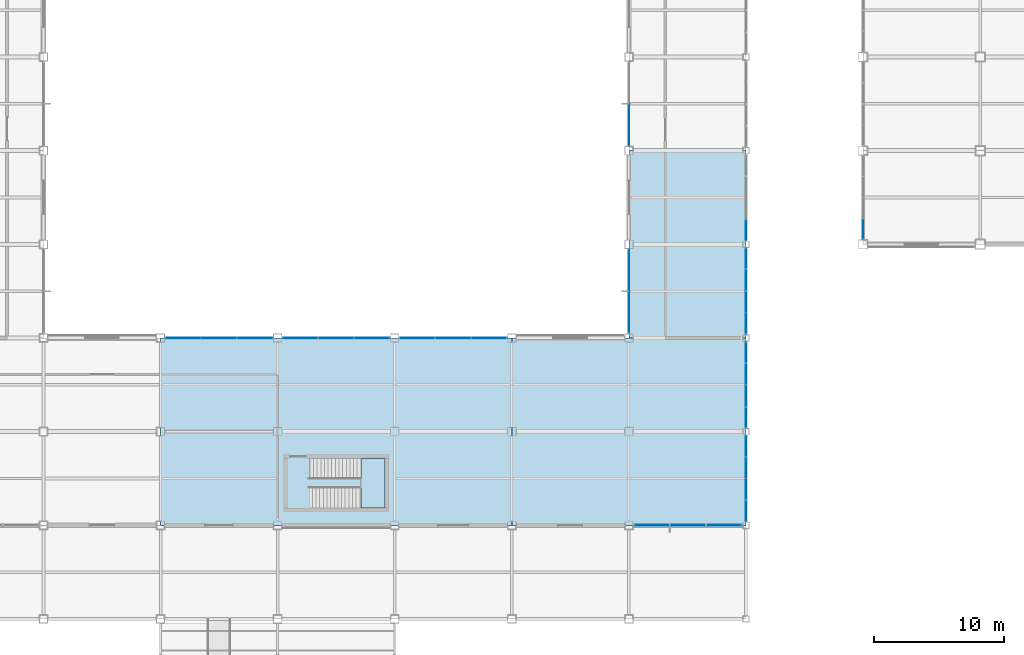
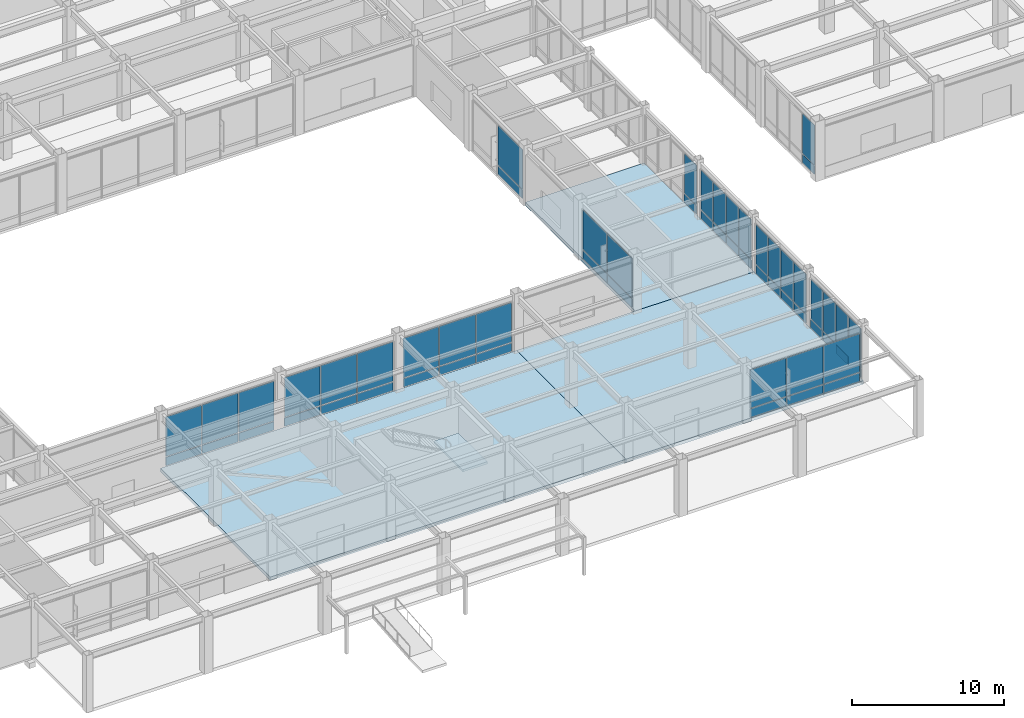
# One storey, part 81 of 112: 58 plates, 4 slabs, 12 elements without a shape of their own.
"""IFC4 building model written with IfcOpenShell, lengths in metres."""

from ifc_helpers import new_model, si_unit, direction, frame, origin, origin_2d, place, context, subcontext, project, spatial, polyline, rectangle, outline, extrude, material, layer, layer_set, type_object, element, aggregate, save


model = new_model("IFC4")

# Units and contexts
model_context = context("Model", 3, precision=1e-05, world=origin(), true_north=direction((0.0, 1.0)))
body_context = subcontext(model_context, "Body", "Model", "MODEL_VIEW")
ifc_project = project(units=[si_unit("LENGTHUNIT", "METRE"), si_unit("AREAUNIT", "SQUARE_METRE"), si_unit("VOLUMEUNIT", "CUBIC_METRE"), si_unit("PLANEANGLEUNIT", "RADIAN"), si_unit("MASSUNIT", "GRAM", prefix="KILO")], contexts=[model_context])

# Site, building, storey
site_placement = place(None, origin())
site = spatial("IfcSite", under=ifc_project, at=site_placement, CompositionType="ELEMENT")
building_placement = place(site_placement, origin())
building = spatial("IfcBuilding", under=site, at=building_placement, Name="Kazanami Central Library", CompositionType="ELEMENT")
storey_placement = place(building_placement, origin())
storey = spatial("IfcBuildingStorey", under=building, at=storey_placement, Name="L01", CompositionType="ELEMENT", Elevation=0.0)

# Curtain wall, plates
ifc_material_1 = material(Name="Acid-Etched Low-E Laminated Glass", Category="glass")
curtain_wall_type_1 = type_object("IfcCurtainWallType", Name="CW-8350x4055-M275", PredefinedType="USERDEFINED", material=ifc_material_1)
curtain_wall_1_placement = place(storey_placement, origin())
curtain_wall_1 = element("IfcCurtainWall", 1, at=curtain_wall_1_placement, inside=storey, type_object=curtain_wall_type_1, Name="Unitised Curtain Wall CW-03 L01 N-F-08", ObjectType="UNITISED CURTAIN WALL", PredefinedType="USERDEFINED")
ifc_layer_1 = layer(ifc_material_1, 0.035888671875, Name="Acid-Etched Low-E Laminated Glass")
ifc_layer_set_1 = layer_set([ifc_layer_1], Name="Acid-Etched Low-E Laminated Glass")
plate_type_1 = type_object("IfcPlateType", Name="PLT-CW-P1", PredefinedType="CURTAIN_PANEL", material=ifc_layer_set_1)
plate_1_placement = place(storey_placement, frame((79.265869140625, 36.0, 0.81494140625), z_axis=(0.0, 0.0, 1.0), x_axis=(-1.0, 0.0, 0.0)))
plate_1 = element("IfcPlate", 2, at=plate_1_placement, type_object=plate_type_1, Name="CW-03 panel 1.2", PredefinedType="CURTAIN_PANEL", context=body_context, shape_type="SweptSolid", body=[
    extrude(rectangle(XDim=2.67822265625, YDim=0.035888671875, at=origin_2d()), origin(), (0.0, 0.0, 1.0), 3.169921875),
])
plate_2_placement = place(storey_placement, frame((76.5, 36.0, 0.81494140625), z_axis=(0.0, 0.0, 1.0), x_axis=(-1.0, 0.0, 0.0)))
plate_2 = element("IfcPlate", 3, at=plate_2_placement, type_object=plate_type_1, Name="CW-03 panel 2.2", PredefinedType="CURTAIN_PANEL", context=body_context, shape_type="SweptSolid", body=[
    extrude(rectangle(XDim=2.71337890625, YDim=0.035888671875, at=origin_2d()), origin(), (0.0, 0.0, 1.0), 3.169921875),
])
plate_3_placement = place(storey_placement, frame((73.734130859375, 36.0, 0.81494140625), z_axis=(0.0, 0.0, 1.0), x_axis=(-1.0, 0.0, 0.0)))
plate_3 = element("IfcPlate", 4, at=plate_3_placement, type_object=plate_type_1, Name="CW-03 panel 3.2", PredefinedType="CURTAIN_PANEL", context=body_context, shape_type="SweptSolid", body=[
    extrude(rectangle(XDim=2.67822265625, YDim=0.035888671875, at=origin_2d()), origin(), (0.0, 0.0, 1.0), 3.169921875),
])

curtain_wall_type_2 = type_object("IfcCurtainWallType", Name="CW-8425x3955-M275", PredefinedType="USERDEFINED", material=ifc_material_1)
curtain_wall_2_placement = place(storey_placement, origin())
curtain_wall_2 = element("IfcCurtainWall", 5, at=curtain_wall_2_placement, inside=storey, type_object=curtain_wall_type_2, Name="Unitised Curtain Wall CW-01 L01 S-D-11", ObjectType="UNITISED CURTAIN WALL", PredefinedType="USERDEFINED")
ifc_layer_2 = layer(ifc_material_1, 0.0439453125, Name="Acid-Etched Low-E Laminated Glass")
ifc_layer_set_2 = layer_set([ifc_layer_2], Name="Acid-Etched Low-E Laminated Glass")
plate_type_2 = type_object("IfcPlateType", Name="PLT-CW-P2", PredefinedType="CURTAIN_PANEL", material=ifc_layer_set_2)
plate_4_placement = place(storey_placement, frame((100.74658203125, 21.60009765625, 0.81494140625), z_axis=(0.0, 0.0, 1.0), x_axis=(1.0, 0.0, 0.0)))
plate_4 = element("IfcPlate", 6, at=plate_4_placement, type_object=plate_type_2, Name="CW-01 panel 1.2", PredefinedType="CURTAIN_PANEL", context=body_context, shape_type="SweptSolid", body=[
    extrude(rectangle(XDim=2.703369140625, YDim=0.0439453125, at=origin_2d()), origin(), (0.0, 0.0, 1.0), 3.070068359375),
])
plate_5_placement = place(storey_placement, frame((103.53759765625, 21.60009765625, 0.81494140625), z_axis=(0.0, 0.0, 1.0), x_axis=(1.0, 0.0, 0.0)))
plate_5 = element("IfcPlate", 7, at=plate_5_placement, type_object=plate_type_2, Name="CW-01 panel 2.2", PredefinedType="CURTAIN_PANEL", context=body_context, shape_type="SweptSolid", body=[
    extrude(rectangle(XDim=2.73828125, YDim=0.0439453125, at=origin_2d()), origin(), (0.0, 0.0, 1.0), 3.070068359375),
])
plate_6_placement = place(storey_placement, frame((106.328369140625, 21.60009765625, 0.81494140625), z_axis=(0.0, 0.0, 1.0), x_axis=(1.0, 0.0, 0.0)))
plate_6 = element("IfcPlate", 8, at=plate_6_placement, type_object=plate_type_2, Name="CW-01 panel 3.2", PredefinedType="CURTAIN_PANEL", context=body_context, shape_type="SweptSolid", body=[
    extrude(rectangle(XDim=2.703369140625, YDim=0.0439453125, at=origin_2d()), origin(), (0.0, 0.0, 1.0), 3.070068359375),
])

curtain_wall_3_placement = place(storey_placement, origin())
curtain_wall_3 = element("IfcCurtainWall", 9, at=curtain_wall_3_placement, inside=storey, type_object=curtain_wall_type_1, Name="Unitised Curtain Wall CW-03 L01 N-F-07", ObjectType="UNITISED CURTAIN WALL", PredefinedType="USERDEFINED")
plate_7_placement = place(storey_placement, frame((70.265869140625, 36.0, 0.81494140625), z_axis=(0.0, 0.0, 1.0), x_axis=(-1.0, 0.0, 0.0)))
plate_7 = element("IfcPlate", 10, at=plate_7_placement, type_object=plate_type_2, Name="CW-03 panel 1.2", PredefinedType="CURTAIN_PANEL", context=body_context, shape_type="SweptSolid", body=[
    extrude(rectangle(XDim=2.67822265625, YDim=0.0439453125, at=origin_2d()), origin(), (0.0, 0.0, 1.0), 3.169921875),
])
plate_8_placement = place(storey_placement, frame((67.5, 36.0, 0.81494140625), z_axis=(0.0, 0.0, 1.0), x_axis=(-1.0, 0.0, 0.0)))
plate_8 = element("IfcPlate", 11, at=plate_8_placement, type_object=plate_type_2, Name="CW-03 panel 2.2", PredefinedType="CURTAIN_PANEL", context=body_context, shape_type="SweptSolid", body=[
    extrude(rectangle(XDim=2.71337890625, YDim=0.0439453125, at=origin_2d()), origin(), (0.0, 0.0, 1.0), 3.169921875),
])
plate_9_placement = place(storey_placement, frame((64.734130859375, 36.0, 0.81494140625), z_axis=(0.0, 0.0, 1.0), x_axis=(-1.0, 0.0, 0.0)))
plate_9 = element("IfcPlate", 12, at=plate_9_placement, type_object=plate_type_2, Name="CW-03 panel 3.2", PredefinedType="CURTAIN_PANEL", context=body_context, shape_type="SweptSolid", body=[
    extrude(rectangle(XDim=2.67822265625, YDim=0.0439453125, at=origin_2d()), origin(), (0.0, 0.0, 1.0), 3.169921875),
])

curtain_wall_4_placement = place(storey_placement, origin())
curtain_wall_4 = element("IfcCurtainWall", 13, at=curtain_wall_4_placement, inside=storey, type_object=curtain_wall_type_1, Name="Unitised Curtain Wall CW-03 L01 N-F-09", ObjectType="UNITISED CURTAIN WALL", PredefinedType="USERDEFINED")
plate_10_placement = place(storey_placement, frame((88.265869140625, 36.0, 0.81494140625), z_axis=(0.0, 0.0, 1.0), x_axis=(-1.0, 0.0, 0.0)))
plate_10 = element("IfcPlate", 14, at=plate_10_placement, type_object=plate_type_2, Name="CW-03 panel 1.2", PredefinedType="CURTAIN_PANEL", context=body_context, shape_type="SweptSolid", body=[
    extrude(rectangle(XDim=2.67822265625, YDim=0.0439453125, at=origin_2d()), origin(), (0.0, 0.0, 1.0), 3.169921875),
])
plate_11_placement = place(storey_placement, frame((85.5, 36.0, 0.81494140625), z_axis=(0.0, 0.0, 1.0), x_axis=(-1.0, 0.0, 0.0)))
plate_11 = element("IfcPlate", 15, at=plate_11_placement, type_object=plate_type_2, Name="CW-03 panel 2.2", PredefinedType="CURTAIN_PANEL", context=body_context, shape_type="SweptSolid", body=[
    extrude(rectangle(XDim=2.71337890625, YDim=0.0439453125, at=origin_2d()), origin(), (0.0, 0.0, 1.0), 3.169921875),
])
plate_12_placement = place(storey_placement, frame((82.734130859375, 36.0, 0.81494140625), z_axis=(0.0, 0.0, 1.0), x_axis=(-1.0, 0.0, 0.0)))
plate_12 = element("IfcPlate", 16, at=plate_12_placement, type_object=plate_type_2, Name="CW-03 panel 3.2", PredefinedType="CURTAIN_PANEL", context=body_context, shape_type="SweptSolid", body=[
    extrude(rectangle(XDim=2.67822265625, YDim=0.0439453125, at=origin_2d()), origin(), (0.0, 0.0, 1.0), 3.169921875),
])

curtain_wall_type_3 = type_object("IfcCurtainWallType", Name="CW-6550x4055-M275", PredefinedType="USERDEFINED", material=ifc_material_1)
curtain_wall_5_placement = place(storey_placement, origin())
curtain_wall_5 = element("IfcCurtainWall", 17, at=curtain_wall_5_placement, inside=storey, type_object=curtain_wall_type_3, Name="Unitised Curtain Wall CW-10 L01 W-12-05", ObjectType="UNITISED CURTAIN WALL", PredefinedType="USERDEFINED")
plate_13_placement = place(storey_placement, frame((99.0, 37.97998046875, 0.81494140625), z_axis=(0.0, 0.0, 1.0), x_axis=(0.0, 1.0, 0.0)))
plate_13 = element("IfcPlate", 18, at=plate_13_placement, type_object=plate_type_2, Name="CW-10 panel 1.2", PredefinedType="CURTAIN_PANEL", context=body_context, shape_type="SweptSolid", body=[
    extrude(rectangle(XDim=3.169921875, YDim=0.0439453125, at=origin_2d()), origin(), (0.0, 0.0, 1.0), 3.169921875),
])
plate_14_placement = place(storey_placement, frame((99.0, 41.219970703125, 0.81494140625), z_axis=(0.0, 0.0, 1.0), x_axis=(0.0, 1.0, 0.0)))
plate_14 = element("IfcPlate", 19, at=plate_14_placement, type_object=plate_type_2, Name="CW-10 panel 2.2", PredefinedType="CURTAIN_PANEL", context=body_context, shape_type="SweptSolid", body=[
    extrude(rectangle(XDim=3.169921875, YDim=0.0439453125, at=origin_2d()), origin(), (0.0, 0.0, 1.0), 3.169921875),
])

# Curtain wall, plate
curtain_wall_6_placement = place(storey_placement, origin())
curtain_wall_6 = element("IfcCurtainWall", 20, at=curtain_wall_6_placement, inside=storey, type_object=curtain_wall_type_3, Name="Unitised Curtain Wall CW-10 L01 W-12-07", ObjectType="UNITISED CURTAIN WALL", PredefinedType="USERDEFINED")
plate_15_placement = place(storey_placement, frame((99.0, 52.3798828125, 0.81494140625), z_axis=(0.0, 0.0, 1.0), x_axis=(0.0, 1.0, 0.0)))
plate_15 = element("IfcPlate", 21, at=plate_15_placement, type_object=plate_type_2, Name="CW-10 panel 1.2", PredefinedType="CURTAIN_PANEL", context=body_context, shape_type="SweptSolid", body=[
    extrude(rectangle(XDim=3.169921875, YDim=0.0439453125, at=origin_2d()), origin(), (0.0, 0.0, 1.0), 3.169921875),
])

# Curtain wall, plates
curtain_wall_type_4 = type_object("IfcCurtainWallType", Name="CW-6700x4055-M180", PredefinedType="USERDEFINED", material=ifc_material_1)
curtain_wall_7_placement = place(storey_placement, origin())
curtain_wall_7 = element("IfcCurtainWall", 22, at=curtain_wall_7_placement, inside=storey, type_object=curtain_wall_type_4, Name="Covered Link Bridge Curtain Wall CW-09 L01 E-13-03", ObjectType="UNITISED CURTAIN WALL", PredefinedType="USERDEFINED")
ifc_material_2 = material(Name="Low-E Insulated Triple Glass", Category="glass")
ifc_layer_3 = layer(ifc_material_2, 0.0400390625, Name="Low-E Insulated Triple Glass")
ifc_layer_set_3 = layer_set([ifc_layer_3], Name="Low-E Insulated Triple Glass")
plate_type_3 = type_object("IfcPlateType", Name="PLT-CW-P3", PredefinedType="CURTAIN_PANEL", material=ifc_layer_set_3)
plate_16_placement = place(storey_placement, frame((108.0, 27.695068359375, 0.81494140625), z_axis=(0.0, 0.0, 1.0), x_axis=(0.0, -1.0, 0.0)))
plate_16 = element("IfcPlate", 23, at=plate_16_placement, type_object=plate_type_3, Name="CW-09 panel 1.2", PredefinedType="CURTAIN_PANEL", context=body_context, shape_type="SweptSolid", body=[
    extrude(rectangle(XDim=1.570068359375, YDim=0.0400390625, at=origin_2d()), origin(), (0.0, 0.0, 1.0), 3.169921875),
])
plate_17_placement = place(storey_placement, frame((108.0, 26.03759765625, 0.81494140625), z_axis=(0.0, 0.0, 1.0), x_axis=(0.0, -1.0, 0.0)))
plate_17 = element("IfcPlate", 24, at=plate_17_placement, type_object=plate_type_3, Name="CW-09 panel 2.2", PredefinedType="CURTAIN_PANEL", context=body_context, shape_type="SweptSolid", body=[
    extrude(rectangle(XDim=1.60498046875, YDim=0.0400390625, at=origin_2d()), origin(), (0.0, 0.0, 1.0), 3.169921875),
])
plate_18_placement = place(storey_placement, frame((108.0, 24.362548828125, 0.81494140625), z_axis=(0.0, 0.0, 1.0), x_axis=(0.0, -1.0, 0.0)))
plate_18 = element("IfcPlate", 25, at=plate_18_placement, type_object=plate_type_3, Name="CW-09 panel 3.2", PredefinedType="CURTAIN_PANEL", context=body_context, shape_type="SweptSolid", body=[
    extrude(rectangle(XDim=1.60498046875, YDim=0.0400390625, at=origin_2d()), origin(), (0.0, 0.0, 1.0), 3.169921875),
])
plate_19_placement = place(storey_placement, frame((108.0, 22.705078125, 0.81494140625), z_axis=(0.0, 0.0, 1.0), x_axis=(0.0, -1.0, 0.0)))
plate_19 = element("IfcPlate", 26, at=plate_19_placement, type_object=plate_type_3, Name="CW-09 panel 4.2", PredefinedType="CURTAIN_PANEL", context=body_context, shape_type="SweptSolid", body=[
    extrude(rectangle(XDim=1.570068359375, YDim=0.0400390625, at=origin_2d()), origin(), (0.0, 0.0, 1.0), 3.169921875),
])

curtain_wall_8_placement = place(storey_placement, origin())
curtain_wall_8 = element("IfcCurtainWall", 27, at=curtain_wall_8_placement, inside=storey, type_object=curtain_wall_type_4, Name="Covered Link Bridge Curtain Wall CW-09 L01 E-13-04", ObjectType="UNITISED CURTAIN WALL", PredefinedType="USERDEFINED")
plate_20_placement = place(storey_placement, frame((108.0, 34.89501953125, 0.81494140625), z_axis=(0.0, 0.0, 1.0), x_axis=(0.0, -1.0, 0.0)))
plate_20 = element("IfcPlate", 28, at=plate_20_placement, type_object=plate_type_3, Name="CW-09 panel 1.2", PredefinedType="CURTAIN_PANEL", context=body_context, shape_type="SweptSolid", body=[
    extrude(rectangle(XDim=1.570068359375, YDim=0.0400390625, at=origin_2d()), origin(), (0.0, 0.0, 1.0), 3.169921875),
])
plate_21_placement = place(storey_placement, frame((108.0, 33.237548828125, 0.81494140625), z_axis=(0.0, 0.0, 1.0), x_axis=(0.0, -1.0, 0.0)))
plate_21 = element("IfcPlate", 29, at=plate_21_placement, type_object=plate_type_3, Name="CW-09 panel 2.2", PredefinedType="CURTAIN_PANEL", context=body_context, shape_type="SweptSolid", body=[
    extrude(rectangle(XDim=1.60498046875, YDim=0.0400390625, at=origin_2d()), origin(), (0.0, 0.0, 1.0), 3.169921875),
])
plate_22_placement = place(storey_placement, frame((108.0, 31.5625, 0.81494140625), z_axis=(0.0, 0.0, 1.0), x_axis=(0.0, -1.0, 0.0)))
plate_22 = element("IfcPlate", 30, at=plate_22_placement, type_object=plate_type_3, Name="CW-09 panel 3.2", PredefinedType="CURTAIN_PANEL", context=body_context, shape_type="SweptSolid", body=[
    extrude(rectangle(XDim=1.60498046875, YDim=0.0400390625, at=origin_2d()), origin(), (0.0, 0.0, 1.0), 3.169921875),
])
plate_23_placement = place(storey_placement, frame((108.0, 29.905029296875, 0.81494140625), z_axis=(0.0, 0.0, 1.0), x_axis=(0.0, -1.0, 0.0)))
plate_23 = element("IfcPlate", 31, at=plate_23_placement, type_object=plate_type_3, Name="CW-09 panel 4.2", PredefinedType="CURTAIN_PANEL", context=body_context, shape_type="SweptSolid", body=[
    extrude(rectangle(XDim=1.570068359375, YDim=0.0400390625, at=origin_2d()), origin(), (0.0, 0.0, 1.0), 3.169921875),
])

curtain_wall_9_placement = place(storey_placement, origin())
curtain_wall_9 = element("IfcCurtainWall", 32, at=curtain_wall_9_placement, inside=storey, type_object=curtain_wall_type_4, Name="Covered Link Bridge Curtain Wall CW-09 L01 E-13-05", ObjectType="UNITISED CURTAIN WALL", PredefinedType="USERDEFINED")
plate_24_placement = place(storey_placement, frame((108.0, 42.094970703125, 0.81494140625), z_axis=(0.0, 0.0, 1.0), x_axis=(0.0, -1.0, 0.0)))
plate_24 = element("IfcPlate", 33, at=plate_24_placement, type_object=plate_type_3, Name="CW-09 panel 1.2", PredefinedType="CURTAIN_PANEL", context=body_context, shape_type="SweptSolid", body=[
    extrude(rectangle(XDim=1.570068359375, YDim=0.0400390625, at=origin_2d()), origin(), (0.0, 0.0, 1.0), 3.169921875),
])
plate_25_placement = place(storey_placement, frame((108.0, 40.4375, 0.81494140625), z_axis=(0.0, 0.0, 1.0), x_axis=(0.0, -1.0, 0.0)))
plate_25 = element("IfcPlate", 34, at=plate_25_placement, type_object=plate_type_3, Name="CW-09 panel 2.2", PredefinedType="CURTAIN_PANEL", context=body_context, shape_type="SweptSolid", body=[
    extrude(rectangle(XDim=1.60498046875, YDim=0.0400390625, at=origin_2d()), origin(), (0.0, 0.0, 1.0), 3.169921875),
])
plate_26_placement = place(storey_placement, frame((108.0, 38.762451171875, 0.81494140625), z_axis=(0.0, 0.0, 1.0), x_axis=(0.0, -1.0, 0.0)))
plate_26 = element("IfcPlate", 35, at=plate_26_placement, type_object=plate_type_3, Name="CW-09 panel 3.2", PredefinedType="CURTAIN_PANEL", context=body_context, shape_type="SweptSolid", body=[
    extrude(rectangle(XDim=1.60498046875, YDim=0.0400390625, at=origin_2d()), origin(), (0.0, 0.0, 1.0), 3.169921875),
])
plate_27_placement = place(storey_placement, frame((108.0, 37.10498046875, 0.81494140625), z_axis=(0.0, 0.0, 1.0), x_axis=(0.0, -1.0, 0.0)))
plate_27 = element("IfcPlate", 36, at=plate_27_placement, type_object=plate_type_3, Name="CW-09 panel 4.2", PredefinedType="CURTAIN_PANEL", context=body_context, shape_type="SweptSolid", body=[
    extrude(rectangle(XDim=1.570068359375, YDim=0.0400390625, at=origin_2d()), origin(), (0.0, 0.0, 1.0), 3.169921875),
])

# Curtain wall, plate
curtain_wall_10_placement = place(storey_placement, origin())
curtain_wall_10 = element("IfcCurtainWall", 37, at=curtain_wall_10_placement, inside=storey, type_object=curtain_wall_type_4, Name="Covered Link Bridge Curtain Wall CW-09 L01 E-13-06", ObjectType="UNITISED CURTAIN WALL", PredefinedType="USERDEFINED")
plate_28_placement = place(storey_placement, frame((108.0, 44.304931640625, 0.81494140625), z_axis=(0.0, 0.0, 1.0), x_axis=(0.0, -1.0, 0.0)))
plate_28 = element("IfcPlate", 38, at=plate_28_placement, type_object=plate_type_3, Name="CW-09 panel 4.2", PredefinedType="CURTAIN_PANEL", context=body_context, shape_type="SweptSolid", body=[
    extrude(rectangle(XDim=1.570068359375, YDim=0.0400390625, at=origin_2d()), origin(), (0.0, 0.0, 1.0), 3.169921875),
])

curtain_wall_type_5 = type_object("IfcCurtainWallType", Name="CW-6500x4055-M180", PredefinedType="USERDEFINED", material=ifc_material_1)
curtain_wall_11_placement = place(storey_placement, origin())
curtain_wall_11 = element("IfcCurtainWall", 39, at=curtain_wall_11_placement, inside=storey, type_object=curtain_wall_type_5, Name="Covered Link Bridge Curtain Wall CW-11 L01 W-14-06", ObjectType="UNITISED CURTAIN WALL", PredefinedType="USERDEFINED")
plate_29_placement = place(storey_placement, frame((117.0, 44.37744140625, 0.81005859375), z_axis=(0.0, 0.0, 1.0), x_axis=(0.0, 1.0, 0.0)))
plate_29 = element("IfcPlate", 40, at=plate_29_placement, type_object=plate_type_3, Name="CW-11 panel 1.2", PredefinedType="CURTAIN_PANEL", context=body_context, shape_type="SweptSolid", body=[
    extrude(rectangle(XDim=1.534912109375, YDim=0.0400390625, at=origin_2d()), origin(), (0.0, 0.0, 1.0), 3.18505859375),
])

# Plate
ifc_material_3 = material(Name="Anodised Aluminium A5052-H32", Category="aluminium")
ifc_layer_4 = layer(ifc_material_3, 0.06005859375, Name="Anodised Aluminium A5052-H32")
ifc_layer_set_4 = layer_set([ifc_layer_4], Name="Anodised Aluminium A5052-H32")
plate_type_4 = type_object("IfcPlateType", Name="PLT-CW-SP1", PredefinedType="CURTAIN_PANEL", material=ifc_layer_set_4)
plate_30_placement = place(storey_placement, frame((100.74658203125, 21.60009765625, 0.06982421875), z_axis=(0.0, 0.0, 1.0), x_axis=(1.0, 0.0, 0.0)))
plate_30 = element("IfcPlate", 41, at=plate_30_placement, type_object=plate_type_4, Name="CW-01 panel 1.1", PredefinedType="CURTAIN_PANEL", context=body_context, shape_type="SweptSolid", body=[
    extrude(rectangle(XDim=2.703369140625, YDim=0.06005859375, at=origin_2d()), origin(), (0.0, 0.0, 1.0), 0.675048828125),
])

plate_31_placement = place(storey_placement, frame((103.53759765625, 21.60009765625, 0.06982421875), z_axis=(0.0, 0.0, 1.0), x_axis=(1.0, 0.0, 0.0)))
plate_31 = element("IfcPlate", 42, at=plate_31_placement, type_object=plate_type_4, Name="CW-01 panel 2.1", PredefinedType="CURTAIN_PANEL", context=body_context, shape_type="SweptSolid", body=[
    extrude(rectangle(XDim=2.73828125, YDim=0.06005859375, at=origin_2d()), origin(), (0.0, 0.0, 1.0), 0.675048828125),
])

plate_32_placement = place(storey_placement, frame((106.328369140625, 21.60009765625, 0.06982421875), z_axis=(0.0, 0.0, 1.0), x_axis=(1.0, 0.0, 0.0)))
plate_32 = element("IfcPlate", 43, at=plate_32_placement, type_object=plate_type_4, Name="CW-01 panel 3.1", PredefinedType="CURTAIN_PANEL", context=body_context, shape_type="SweptSolid", body=[
    extrude(rectangle(XDim=2.703369140625, YDim=0.06005859375, at=origin_2d()), origin(), (0.0, 0.0, 1.0), 0.675048828125),
])

aggregate(curtain_wall_2, [plate_30, plate_4, plate_31, plate_5, plate_32, plate_6])

plate_33_placement = place(storey_placement, frame((70.265869140625, 36.0, 0.06982421875), z_axis=(0.0, 0.0, 1.0), x_axis=(-1.0, 0.0, 0.0)))
plate_33 = element("IfcPlate", 44, at=plate_33_placement, type_object=plate_type_4, Name="CW-03 panel 1.1", PredefinedType="CURTAIN_PANEL", context=body_context, shape_type="SweptSolid", body=[
    extrude(rectangle(XDim=2.67822265625, YDim=0.06005859375, at=origin_2d()), origin(), (0.0, 0.0, 1.0), 0.675048828125),
])

plate_34_placement = place(storey_placement, frame((67.5, 36.0, 0.06982421875), z_axis=(0.0, 0.0, 1.0), x_axis=(-1.0, 0.0, 0.0)))
plate_34 = element("IfcPlate", 45, at=plate_34_placement, type_object=plate_type_4, Name="CW-03 panel 2.1", PredefinedType="CURTAIN_PANEL", context=body_context, shape_type="SweptSolid", body=[
    extrude(rectangle(XDim=2.71337890625, YDim=0.06005859375, at=origin_2d()), origin(), (0.0, 0.0, 1.0), 0.675048828125),
])

plate_35_placement = place(storey_placement, frame((64.734130859375, 36.0, 0.06982421875), z_axis=(0.0, 0.0, 1.0), x_axis=(-1.0, 0.0, 0.0)))
plate_35 = element("IfcPlate", 46, at=plate_35_placement, type_object=plate_type_4, Name="CW-03 panel 3.1", PredefinedType="CURTAIN_PANEL", context=body_context, shape_type="SweptSolid", body=[
    extrude(rectangle(XDim=2.67822265625, YDim=0.06005859375, at=origin_2d()), origin(), (0.0, 0.0, 1.0), 0.675048828125),
])

aggregate(curtain_wall_3, [plate_33, plate_7, plate_34, plate_8, plate_35, plate_9])

plate_36_placement = place(storey_placement, frame((79.265869140625, 36.0, 0.06982421875), z_axis=(0.0, 0.0, 1.0), x_axis=(-1.0, 0.0, 0.0)))
plate_36 = element("IfcPlate", 47, at=plate_36_placement, type_object=plate_type_4, Name="CW-03 panel 1.1", PredefinedType="CURTAIN_PANEL", context=body_context, shape_type="SweptSolid", body=[
    extrude(rectangle(XDim=2.67822265625, YDim=0.06005859375, at=origin_2d()), origin(), (0.0, 0.0, 1.0), 0.675048828125),
])

plate_37_placement = place(storey_placement, frame((76.5, 36.0, 0.06982421875), z_axis=(0.0, 0.0, 1.0), x_axis=(-1.0, 0.0, 0.0)))
plate_37 = element("IfcPlate", 48, at=plate_37_placement, type_object=plate_type_4, Name="CW-03 panel 2.1", PredefinedType="CURTAIN_PANEL", context=body_context, shape_type="SweptSolid", body=[
    extrude(rectangle(XDim=2.71337890625, YDim=0.06005859375, at=origin_2d()), origin(), (0.0, 0.0, 1.0), 0.675048828125),
])

plate_38_placement = place(storey_placement, frame((73.734130859375, 36.0, 0.06982421875), z_axis=(0.0, 0.0, 1.0), x_axis=(-1.0, 0.0, 0.0)))
plate_38 = element("IfcPlate", 49, at=plate_38_placement, type_object=plate_type_4, Name="CW-03 panel 3.1", PredefinedType="CURTAIN_PANEL", context=body_context, shape_type="SweptSolid", body=[
    extrude(rectangle(XDim=2.67822265625, YDim=0.06005859375, at=origin_2d()), origin(), (0.0, 0.0, 1.0), 0.675048828125),
])

aggregate(curtain_wall_1, [plate_36, plate_1, plate_37, plate_2, plate_38, plate_3])

plate_39_placement = place(storey_placement, frame((88.265869140625, 36.0, 0.06982421875), z_axis=(0.0, 0.0, 1.0), x_axis=(-1.0, 0.0, 0.0)))
plate_39 = element("IfcPlate", 50, at=plate_39_placement, type_object=plate_type_4, Name="CW-03 panel 1.1", PredefinedType="CURTAIN_PANEL", context=body_context, shape_type="SweptSolid", body=[
    extrude(rectangle(XDim=2.67822265625, YDim=0.06005859375, at=origin_2d()), origin(), (0.0, 0.0, 1.0), 0.675048828125),
])

plate_40_placement = place(storey_placement, frame((85.5, 36.0, 0.06982421875), z_axis=(0.0, 0.0, 1.0), x_axis=(-1.0, 0.0, 0.0)))
plate_40 = element("IfcPlate", 51, at=plate_40_placement, type_object=plate_type_4, Name="CW-03 panel 2.1", PredefinedType="CURTAIN_PANEL", context=body_context, shape_type="SweptSolid", body=[
    extrude(rectangle(XDim=2.71337890625, YDim=0.06005859375, at=origin_2d()), origin(), (0.0, 0.0, 1.0), 0.675048828125),
])

plate_41_placement = place(storey_placement, frame((82.734130859375, 36.0, 0.06982421875), z_axis=(0.0, 0.0, 1.0), x_axis=(-1.0, 0.0, 0.0)))
plate_41 = element("IfcPlate", 52, at=plate_41_placement, type_object=plate_type_4, Name="CW-03 panel 3.1", PredefinedType="CURTAIN_PANEL", context=body_context, shape_type="SweptSolid", body=[
    extrude(rectangle(XDim=2.67822265625, YDim=0.06005859375, at=origin_2d()), origin(), (0.0, 0.0, 1.0), 0.675048828125),
])

aggregate(curtain_wall_4, [plate_39, plate_10, plate_40, plate_11, plate_41, plate_12])

plate_42_placement = place(storey_placement, frame((99.0, 37.97998046875, 0.06982421875), z_axis=(0.0, 0.0, 1.0), x_axis=(0.0, 1.0, 0.0)))
plate_42 = element("IfcPlate", 53, at=plate_42_placement, type_object=plate_type_4, Name="CW-10 panel 1.1", PredefinedType="CURTAIN_PANEL", context=body_context, shape_type="SweptSolid", body=[
    extrude(rectangle(XDim=3.169921875, YDim=0.06005859375, at=origin_2d()), origin(), (0.0, 0.0, 1.0), 0.675048828125),
])

plate_43_placement = place(storey_placement, frame((99.0, 41.219970703125, 0.06982421875), z_axis=(0.0, 0.0, 1.0), x_axis=(0.0, 1.0, 0.0)))
plate_43 = element("IfcPlate", 54, at=plate_43_placement, type_object=plate_type_4, Name="CW-10 panel 2.1", PredefinedType="CURTAIN_PANEL", context=body_context, shape_type="SweptSolid", body=[
    extrude(rectangle(XDim=3.169921875, YDim=0.06005859375, at=origin_2d()), origin(), (0.0, 0.0, 1.0), 0.675048828125),
])

aggregate(curtain_wall_5, [plate_42, plate_13, plate_43, plate_14])

plate_44_placement = place(storey_placement, frame((99.0, 52.3798828125, 0.06982421875), z_axis=(0.0, 0.0, 1.0), x_axis=(0.0, 1.0, 0.0)))
plate_44 = element("IfcPlate", 55, at=plate_44_placement, type_object=plate_type_4, Name="CW-10 panel 1.1", PredefinedType="CURTAIN_PANEL", context=body_context, shape_type="SweptSolid", body=[
    extrude(rectangle(XDim=3.169921875, YDim=0.06005859375, at=origin_2d()), origin(), (0.0, 0.0, 1.0), 0.675048828125),
])

aggregate(curtain_wall_6, [plate_44, plate_15])

plate_45_placement = place(storey_placement, frame((108.0, 27.695068359375, 0.06982421875), z_axis=(0.0, 0.0, 1.0), x_axis=(0.0, -1.0, 0.0)))
plate_45 = element("IfcPlate", 56, at=plate_45_placement, type_object=plate_type_4, Name="CW-09 panel 1.1", PredefinedType="CURTAIN_PANEL", context=body_context, shape_type="SweptSolid", body=[
    extrude(rectangle(XDim=1.570068359375, YDim=0.06005859375, at=origin_2d()), origin(), (0.0, 0.0, 1.0), 0.675048828125),
])

plate_46_placement = place(storey_placement, frame((108.0, 26.03759765625, 0.06982421875), z_axis=(0.0, 0.0, 1.0), x_axis=(0.0, -1.0, 0.0)))
plate_46 = element("IfcPlate", 57, at=plate_46_placement, type_object=plate_type_4, Name="CW-09 panel 2.1", PredefinedType="CURTAIN_PANEL", context=body_context, shape_type="SweptSolid", body=[
    extrude(rectangle(XDim=1.60498046875, YDim=0.06005859375, at=origin_2d()), origin(), (0.0, 0.0, 1.0), 0.675048828125),
])

plate_47_placement = place(storey_placement, frame((108.0, 24.362548828125, 0.06982421875), z_axis=(0.0, 0.0, 1.0), x_axis=(0.0, -1.0, 0.0)))
plate_47 = element("IfcPlate", 58, at=plate_47_placement, type_object=plate_type_4, Name="CW-09 panel 3.1", PredefinedType="CURTAIN_PANEL", context=body_context, shape_type="SweptSolid", body=[
    extrude(rectangle(XDim=1.60498046875, YDim=0.06005859375, at=origin_2d()), origin(), (0.0, 0.0, 1.0), 0.675048828125),
])

plate_48_placement = place(storey_placement, frame((108.0, 22.705078125, 0.06982421875), z_axis=(0.0, 0.0, 1.0), x_axis=(0.0, -1.0, 0.0)))
plate_48 = element("IfcPlate", 59, at=plate_48_placement, type_object=plate_type_4, Name="CW-09 panel 4.1", PredefinedType="CURTAIN_PANEL", context=body_context, shape_type="SweptSolid", body=[
    extrude(rectangle(XDim=1.570068359375, YDim=0.06005859375, at=origin_2d()), origin(), (0.0, 0.0, 1.0), 0.675048828125),
])

aggregate(curtain_wall_7, [plate_45, plate_16, plate_46, plate_17, plate_47, plate_18, plate_48, plate_19])

plate_49_placement = place(storey_placement, frame((108.0, 34.89501953125, 0.06982421875), z_axis=(0.0, 0.0, 1.0), x_axis=(0.0, -1.0, 0.0)))
plate_49 = element("IfcPlate", 60, at=plate_49_placement, type_object=plate_type_4, Name="CW-09 panel 1.1", PredefinedType="CURTAIN_PANEL", context=body_context, shape_type="SweptSolid", body=[
    extrude(rectangle(XDim=1.570068359375, YDim=0.06005859375, at=origin_2d()), origin(), (0.0, 0.0, 1.0), 0.675048828125),
])

plate_50_placement = place(storey_placement, frame((108.0, 33.237548828125, 0.06982421875), z_axis=(0.0, 0.0, 1.0), x_axis=(0.0, -1.0, 0.0)))
plate_50 = element("IfcPlate", 61, at=plate_50_placement, type_object=plate_type_4, Name="CW-09 panel 2.1", PredefinedType="CURTAIN_PANEL", context=body_context, shape_type="SweptSolid", body=[
    extrude(rectangle(XDim=1.60498046875, YDim=0.06005859375, at=origin_2d()), origin(), (0.0, 0.0, 1.0), 0.675048828125),
])

plate_51_placement = place(storey_placement, frame((108.0, 31.5625, 0.06982421875), z_axis=(0.0, 0.0, 1.0), x_axis=(0.0, -1.0, 0.0)))
plate_51 = element("IfcPlate", 62, at=plate_51_placement, type_object=plate_type_4, Name="CW-09 panel 3.1", PredefinedType="CURTAIN_PANEL", context=body_context, shape_type="SweptSolid", body=[
    extrude(rectangle(XDim=1.60498046875, YDim=0.06005859375, at=origin_2d()), origin(), (0.0, 0.0, 1.0), 0.675048828125),
])

plate_52_placement = place(storey_placement, frame((108.0, 29.905029296875, 0.06982421875), z_axis=(0.0, 0.0, 1.0), x_axis=(0.0, -1.0, 0.0)))
plate_52 = element("IfcPlate", 63, at=plate_52_placement, type_object=plate_type_4, Name="CW-09 panel 4.1", PredefinedType="CURTAIN_PANEL", context=body_context, shape_type="SweptSolid", body=[
    extrude(rectangle(XDim=1.570068359375, YDim=0.06005859375, at=origin_2d()), origin(), (0.0, 0.0, 1.0), 0.675048828125),
])

aggregate(curtain_wall_8, [plate_49, plate_20, plate_50, plate_21, plate_51, plate_22, plate_52, plate_23])

plate_53_placement = place(storey_placement, frame((108.0, 42.094970703125, 0.06982421875), z_axis=(0.0, 0.0, 1.0), x_axis=(0.0, -1.0, 0.0)))
plate_53 = element("IfcPlate", 64, at=plate_53_placement, type_object=plate_type_4, Name="CW-09 panel 1.1", PredefinedType="CURTAIN_PANEL", context=body_context, shape_type="SweptSolid", body=[
    extrude(rectangle(XDim=1.570068359375, YDim=0.06005859375, at=origin_2d()), origin(), (0.0, 0.0, 1.0), 0.675048828125),
])

plate_54_placement = place(storey_placement, frame((108.0, 40.4375, 0.06982421875), z_axis=(0.0, 0.0, 1.0), x_axis=(0.0, -1.0, 0.0)))
plate_54 = element("IfcPlate", 65, at=plate_54_placement, type_object=plate_type_4, Name="CW-09 panel 2.1", PredefinedType="CURTAIN_PANEL", context=body_context, shape_type="SweptSolid", body=[
    extrude(rectangle(XDim=1.60498046875, YDim=0.06005859375, at=origin_2d()), origin(), (0.0, 0.0, 1.0), 0.675048828125),
])

plate_55_placement = place(storey_placement, frame((108.0, 38.762451171875, 0.06982421875), z_axis=(0.0, 0.0, 1.0), x_axis=(0.0, -1.0, 0.0)))
plate_55 = element("IfcPlate", 66, at=plate_55_placement, type_object=plate_type_4, Name="CW-09 panel 3.1", PredefinedType="CURTAIN_PANEL", context=body_context, shape_type="SweptSolid", body=[
    extrude(rectangle(XDim=1.60498046875, YDim=0.06005859375, at=origin_2d()), origin(), (0.0, 0.0, 1.0), 0.675048828125),
])

plate_56_placement = place(storey_placement, frame((108.0, 37.10498046875, 0.06982421875), z_axis=(0.0, 0.0, 1.0), x_axis=(0.0, -1.0, 0.0)))
plate_56 = element("IfcPlate", 67, at=plate_56_placement, type_object=plate_type_4, Name="CW-09 panel 4.1", PredefinedType="CURTAIN_PANEL", context=body_context, shape_type="SweptSolid", body=[
    extrude(rectangle(XDim=1.570068359375, YDim=0.06005859375, at=origin_2d()), origin(), (0.0, 0.0, 1.0), 0.675048828125),
])

aggregate(curtain_wall_9, [plate_53, plate_24, plate_54, plate_25, plate_55, plate_26, plate_56, plate_27])

plate_57_placement = place(storey_placement, frame((108.0, 44.304931640625, 0.06982421875), z_axis=(0.0, 0.0, 1.0), x_axis=(0.0, -1.0, 0.0)))
plate_57 = element("IfcPlate", 68, at=plate_57_placement, type_object=plate_type_4, Name="CW-09 panel 4.1", PredefinedType="CURTAIN_PANEL", context=body_context, shape_type="SweptSolid", body=[
    extrude(rectangle(XDim=1.570068359375, YDim=0.06005859375, at=origin_2d()), origin(), (0.0, 0.0, 1.0), 0.675048828125),
])

aggregate(curtain_wall_10, [plate_57, plate_28])

ifc_layer_5 = layer(ifc_material_3, 0.052001953125, Name="Anodised Aluminium A5052-H32")
ifc_layer_set_5 = layer_set([ifc_layer_5], Name="Anodised Aluminium A5052-H32")
plate_type_5 = type_object("IfcPlateType", Name="PLT-CW-SP2", PredefinedType="CURTAIN_PANEL", material=ifc_layer_set_5)
plate_58_placement = place(storey_placement, frame((117.0, 44.37744140625, 0.06005859375), z_axis=(0.0, 0.0, 1.0), x_axis=(0.0, 1.0, 0.0)))
plate_58 = element("IfcPlate", 69, at=plate_58_placement, type_object=plate_type_5, Name="CW-11 panel 1.1", PredefinedType="CURTAIN_PANEL", context=body_context, shape_type="SweptSolid", body=[
    extrude(rectangle(XDim=1.534912109375, YDim=0.052001953125, at=origin_2d()), origin(), (0.0, 0.0, 1.0), 0.68994140625),
])

aggregate(curtain_wall_11, [plate_58, plate_29])

# Slabs
ifc_material_4 = material(Name="Concrete Fc36 (36 MPa)", Category="concrete")
ifc_layer_6 = layer(ifc_material_4, 0.27490234375, Name="Concrete Fc36 (36 MPa)")
ifc_layer_set_6 = layer_set([ifc_layer_6], Name="Concrete Fc36 (36 MPa)")
slab_type_1 = type_object("IfcSlabType", Name="SLB-FLR-275", PredefinedType="FLOOR", material=ifc_layer_set_6)
slab_1_placement = place(storey_placement, frame((0.0, 0.0, -0.27490234375)))
element("IfcSlab", 70, at=slab_1_placement, inside=storey, type_object=slab_type_1, Name="Composite Floor Slab L01 V1-SOUTH Zone 14", PredefinedType="FLOOR", context=body_context, shape_type="SweptSolid", body=[
    extrude(outline(polyline([(63.0, 21.60009765625), (90.0, 21.60009765625), (90.0, 36.0), (63.0, 36.0), (63.0, 21.60009765625)])), origin(), (0.0, 0.0, 1.0), 0.27490234375),
])
slab_2_placement = place(storey_placement, frame((0.0, 0.0, -0.27490234375)))
element("IfcSlab", 71, at=slab_2_placement, inside=storey, type_object=slab_type_1, Name="Composite Floor Slab L01 V1-SOUTH Zone 15", PredefinedType="FLOOR", context=body_context, shape_type="SweptSolid", body=[
    extrude(outline(polyline([(90.0, 21.60009765625), (108.0, 21.60009765625), (108.0, 36.0), (90.0, 36.0), (90.0, 21.60009765625)])), origin(), (0.0, 0.0, 1.0), 0.27490234375),
])
slab_3_placement = place(storey_placement, frame((0.0, 0.0, -0.27490234375)))
element("IfcSlab", 72, at=slab_3_placement, inside=storey, type_object=slab_type_1, Name="Composite Floor Slab L01 V1-EAST Zone 18", PredefinedType="FLOOR", context=body_context, shape_type="SweptSolid", body=[
    extrude(outline(polyline([(99.0, 36.0), (108.0, 36.0), (108.0, 50.39990234375), (99.0, 50.39990234375), (99.0, 36.0)])), origin(), (0.0, 0.0, 1.0), 0.27490234375),
])

# Stair, slab
stair_type = type_object("IfcStairType", Name="STR-P48", PredefinedType="HALF_TURN_STAIR", material=ifc_material_4)
stair_placement = place(storey_placement, origin())
stair = element("IfcStair", 73, at=stair_placement, inside=storey, type_object=stair_type, Name="Enclosed Escape Stair ST-09 (L01)", PredefinedType="HALF_TURN_STAIR")
ifc_layer_7 = layer(ifc_material_4, 0.179931640625, Name="Concrete Fc36 (36 MPa)")
ifc_layer_set_7 = layer_set([ifc_layer_7], Name="Concrete Fc36 (36 MPa)")
slab_type_2 = type_object("IfcSlabType", Name="SLB-LND-180", PredefinedType="LANDING", material=ifc_layer_set_7)
slab_4_placement = place(storey_placement, frame((0.0, 0.0, 2.219970703125)))
slab_4 = element("IfcSlab", 74, at=slab_4_placement, type_object=slab_type_2, Name="ST-09 landing 1", PredefinedType="LANDING", context=body_context, shape_type="SweptSolid", body=[
    extrude(outline(polyline([(78.387939453125, 22.949951171875), (80.25, 22.949951171875), (80.25, 26.75), (78.387939453125, 26.75), (78.387939453125, 22.949951171875)])), origin(), (0.0, 0.0, 1.0), 0.179931640625),
])
aggregate(stair, [slab_4])

save(model, "model.ifc")
